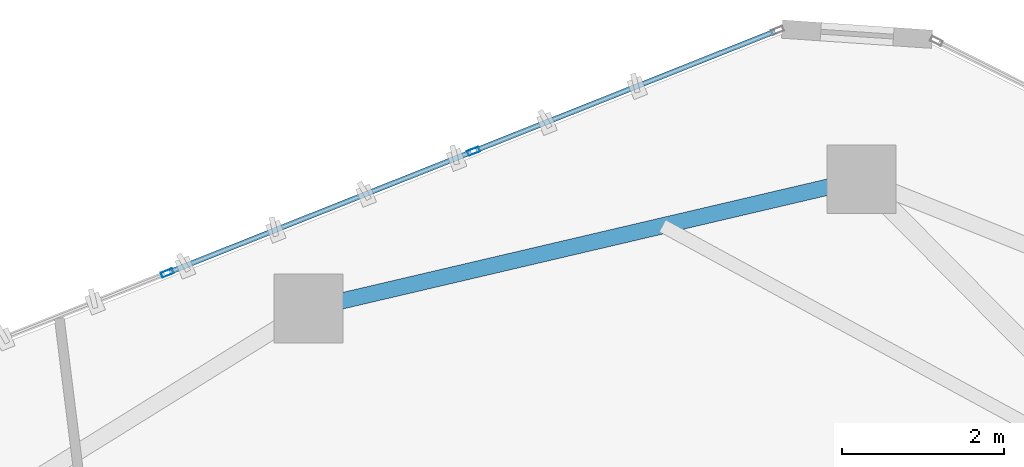
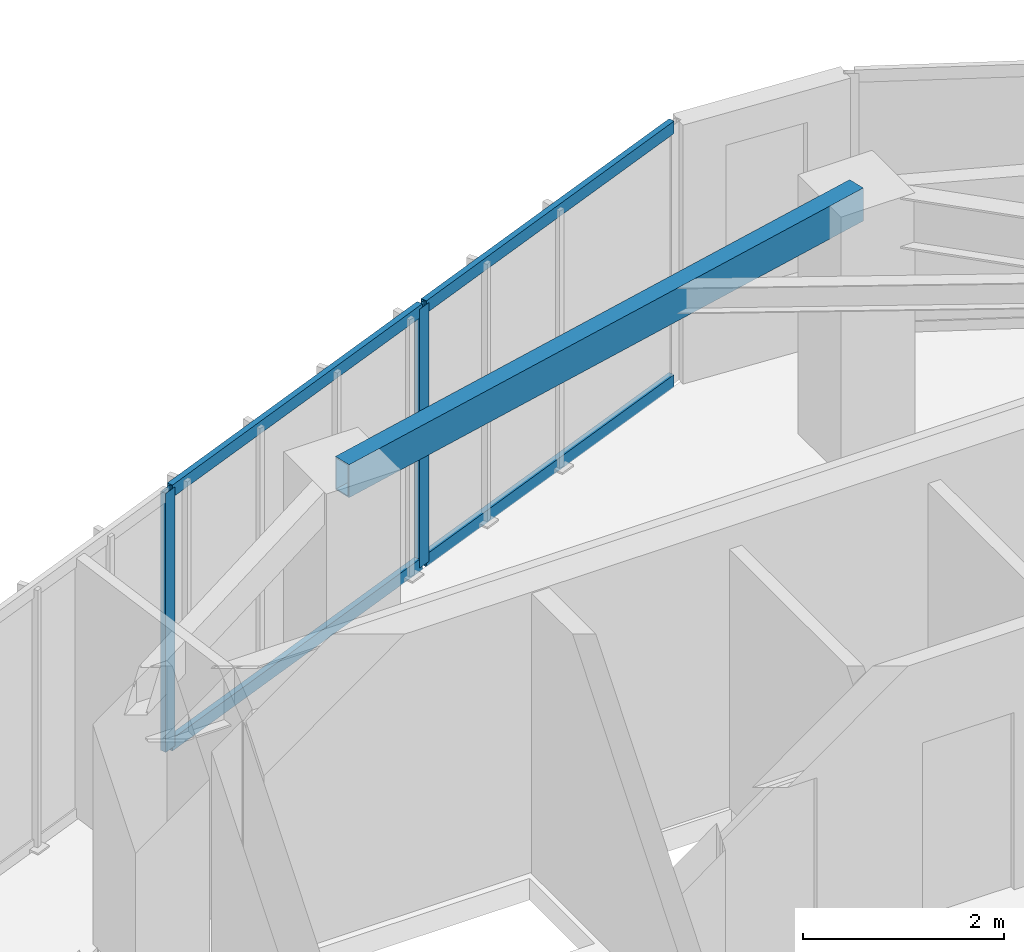
# One storey, part 11 of 20: 6 members, 1 beam, 1 element without a shape of its own.
"""IFC4 building model written with IfcOpenShell, lengths in metres."""

from ifc_helpers import new_model, si_unit, direction, frame, origin, origin_2d, place, context, subcontext, project, spatial, hollow_rectangle, extrude, source, transform, mapped, material, layer, layer_set, material_profile, profile_set, type_object, type_shapes, element, aggregate, save


model = new_model("IFC4")

# Units and contexts
model_context = context("Model", 3, precision=1e-05, world=origin(), true_north=direction((0.0, 1.0)))
body_context = subcontext(model_context, "Body", "Model", "MODEL_VIEW")
ifc_project = project(units=[si_unit("LENGTHUNIT", "METRE"), si_unit("AREAUNIT", "SQUARE_METRE"), si_unit("VOLUMEUNIT", "CUBIC_METRE"), si_unit("PLANEANGLEUNIT", "RADIAN"), si_unit("MASSUNIT", "GRAM", prefix="KILO")], contexts=[model_context])

# Site, building, storey
site_placement = place(None, origin())
site = spatial("IfcSite", under=ifc_project, at=site_placement, CompositionType="ELEMENT")
building_placement = place(site_placement, origin())
building = spatial("IfcBuilding", under=site, at=building_placement, Name="Talar Marvaseh", CompositionType="ELEMENT")
storey_placement = place(building_placement, frame((0.0, 0.0, 278.199951171875)))
storey = spatial("IfcBuildingStorey", under=building, at=storey_placement, Name="L74", CompositionType="ELEMENT", Elevation=278.199951171875)

# Beam
ifc_material_1 = material(Name="Steel S355", Category="steel")
ifc_material_profile_1 = material_profile(ifc_material_1, hollow_rectangle(XDim=0.199951171875, YDim=0.39990234375, WallThickness=0.013916015625, at=origin_2d()), Name="RHS400x200x14")
ifc_profile_set_1 = profile_set([ifc_material_profile_1], Name="Steel S355")
beam_type = type_object("IfcBeamType", Name="Zone 3 Perimeter Spandrel Beam RHS400x200x14", PredefinedType="SPANDREL", material=ifc_profile_set_1)
beam_placement = place(storey_placement, frame((22.364990234375, 39.4541015625, 2.93994140625), z_axis=(0.973655602276, 0.228023613157, 0.0), x_axis=(-0.228023613157, 0.973655602276, 0.0)))
element("IfcBeam", 1, at=beam_placement, inside=storey, type_object=beam_type, Name="L74 Zone 3 Perimeter Spandrel Beam RHS400x200x14", PredefinedType="SPANDREL", context=body_context, shape_type="SweptSolid", body=[
    extrude(hollow_rectangle(XDim=0.199951171875, YDim=0.39990234375, WallThickness=0.013916015625, at=origin_2d()), origin(), (0.0, 0.0, 1.0), 7.007568359375),
])

# Curtain wall, members
ifc_material_2 = material(Name="Architectural Aluminium", Category="aluminium")
ifc_layer = layer(ifc_material_2, 0.179931640625)
ifc_layer_set = layer_set([ifc_layer], Name="Architectural Aluminium")
curtain_wall_type = type_object("IfcCurtainWallType", Name="Unitised High-Wind Sky Curtain Wall Z4", PredefinedType="NOTDEFINED", material=ifc_layer_set)
curtain_wall_placement = place(storey_placement, origin())
curtain_wall = element("IfcCurtainWall", 2, at=curtain_wall_placement, inside=storey, type_object=curtain_wall_type, Name="L74 Unitised High-Wind Sky Curtain Wall Z4", PredefinedType="NOTDEFINED")
ifc_material_profile_2 = material_profile(ifc_material_2, hollow_rectangle(XDim=0.06494140625, YDim=0.14990234375, WallThickness=0.00390625, at=origin_2d()), Name="RHS150x65x4")
ifc_profile_set_2 = profile_set([ifc_material_profile_2], Name="Architectural Aluminium")
member_type_1 = type_object("IfcMemberType", Name="Unitised Curtain Wall Slim Transom RHS150x65x4", PredefinedType="USERDEFINED", material=ifc_profile_set_2)
shared_shape_1 = source(origin(), body_context, "Body", "SweptSolid", [
    extrude(hollow_rectangle(XDim=0.06494140625, YDim=0.14990234375, WallThickness=0.00390625, at=origin_2d()), origin(), (0.0, 0.0, 1.0), 3.97119140625),
])
member_1_placement = place(storey_placement, frame((24.429931640625, 41.408935546875, 0.032470703125), z_axis=(0.929259010611, 0.369428871635, 0.0), x_axis=(-0.369428871635, 0.929259010611, 0.0)))
member_1 = element("IfcMember", 3, at=member_1_placement, type_object=member_type_1, Name="CW-Z4 transom 3.1", ObjectType="TRANSOM", PredefinedType="USERDEFINED", context=body_context, shape_type="MappedRepresentation", body=[
    mapped(shared_shape_1, transform((0.0, 0.0, 0.0), x_axis=(1.0, 0.0, 0.0), y_axis=(0.0, 1.0, 0.0), z_axis=(0.0, 0.0, 1.0), scale=1.0)),
])
member_2_placement = place(storey_placement, frame((24.429931640625, 41.408935546875, 3.107666015625), z_axis=(0.929259010611, 0.369428871635, 0.0), x_axis=(-0.369428871635, 0.929259010611, 0.0)))
member_2 = element("IfcMember", 4, at=member_2_placement, type_object=member_type_1, Name="CW-Z4 transom 3.2", ObjectType="TRANSOM", PredefinedType="USERDEFINED", context=body_context, shape_type="MappedRepresentation", body=[
    mapped(shared_shape_1, transform((0.0, 0.0, 0.0), x_axis=(1.0, 0.0, 0.0), y_axis=(0.0, 1.0, 0.0), z_axis=(0.0, 0.0, 1.0), scale=1.0)),
])
shared_shape_2 = source(origin(), body_context, "Body", "SweptSolid", [
    extrude(hollow_rectangle(XDim=0.06494140625, YDim=0.14990234375, WallThickness=0.00390625, at=origin_2d()), origin(), (0.0, 0.0, 1.0), 4.003662109375),
])
type_shapes(member_type_1, [shared_shape_1, shared_shape_2])
member_3_placement = place(storey_placement, frame((20.649169921875, 39.90576171875, 0.032470703125), z_axis=(0.929244282355, 0.369465916844, 0.0), x_axis=(-0.369465916844, 0.929244282355, 0.0)))
member_3 = element("IfcMember", 5, at=member_3_placement, type_object=member_type_1, Name="CW-Z4 transom 2.1", ObjectType="TRANSOM", PredefinedType="USERDEFINED", context=body_context, shape_type="MappedRepresentation", body=[
    mapped(shared_shape_2, transform((0.0, 0.0, 0.0), x_axis=(1.0, 0.0, 0.0), y_axis=(0.0, 1.0, 0.0), z_axis=(0.0, 0.0, 1.0), scale=1.0)),
])
member_4_placement = place(storey_placement, frame((20.649169921875, 39.90576171875, 3.107666015625), z_axis=(0.929244282355, 0.369465916844, 0.0), x_axis=(-0.369465916844, 0.929244282355, 0.0)))
member_4 = element("IfcMember", 6, at=member_4_placement, type_object=member_type_1, Name="CW-Z4 transom 2.2", ObjectType="TRANSOM", PredefinedType="USERDEFINED", context=body_context, shape_type="MappedRepresentation", body=[
    mapped(shared_shape_2, transform((0.0, 0.0, 0.0), x_axis=(1.0, 0.0, 0.0), y_axis=(0.0, 1.0, 0.0), z_axis=(0.0, 0.0, 1.0), scale=1.0)),
])
ifc_material_profile_3 = material_profile(ifc_material_2, hollow_rectangle(XDim=0.06494140625, YDim=0.14990234375, WallThickness=0.00390625, at=origin_2d()), Name="RHS150x65x4")
ifc_profile_set_3 = profile_set([ifc_material_profile_3], Name="Architectural Aluminium")
member_type_2 = type_object("IfcMemberType", Name="Unitised Curtain Wall Slim Mullion RHS150x65x4", PredefinedType="MULLION", material=ifc_profile_set_3)
shared_shape_3 = source(origin(), body_context, "Body", "SweptSolid", [
    extrude(hollow_rectangle(XDim=0.06494140625, YDim=0.14990234375, WallThickness=0.00390625, at=origin_2d()), origin(), (0.0, 0.0, 1.0), 3.14013671875),
])
type_shapes(member_type_2, [shared_shape_3])
member_5_placement = place(storey_placement, frame((20.618896484375, 39.893798828125, 0.0), z_axis=(0.0, 0.0, 1.0), x_axis=(-0.369450452893, 0.929250430647, 0.0)))
member_5 = element("IfcMember", 7, at=member_5_placement, type_object=member_type_2, Name="CW-Z4 mullion 2", PredefinedType="MULLION", context=body_context, shape_type="MappedRepresentation", body=[
    mapped(shared_shape_3, transform((0.0, 0.0, 0.0), x_axis=(1.0, 0.0, 0.0), y_axis=(0.0, 1.0, 0.0), z_axis=(0.0, 0.0, 1.0), scale=1.0)),
])
member_6_placement = place(storey_placement, frame((24.39990234375, 41.39697265625, 0.0), z_axis=(0.0, 0.0, 1.0), x_axis=(-0.369450452893, 0.929250430647, 0.0)))
member_6 = element("IfcMember", 8, at=member_6_placement, type_object=member_type_2, Name="CW-Z4 mullion 3", PredefinedType="MULLION", context=body_context, shape_type="MappedRepresentation", body=[
    mapped(shared_shape_3, transform((0.0, 0.0, 0.0), x_axis=(1.0, 0.0, 0.0), y_axis=(0.0, 1.0, 0.0), z_axis=(0.0, 0.0, 1.0), scale=1.0)),
])
aggregate(curtain_wall, [member_5, member_6, member_3, member_4, member_1, member_2])

save(model, "model.ifc")
